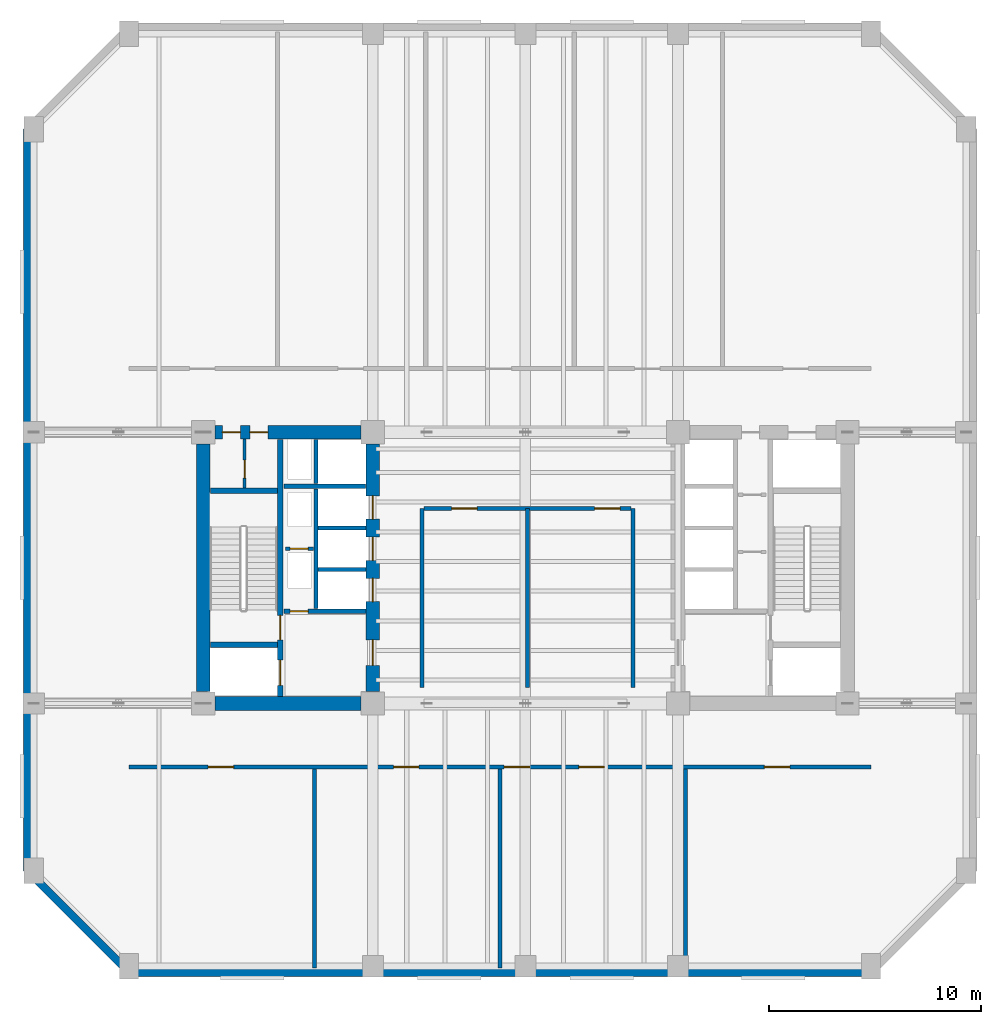
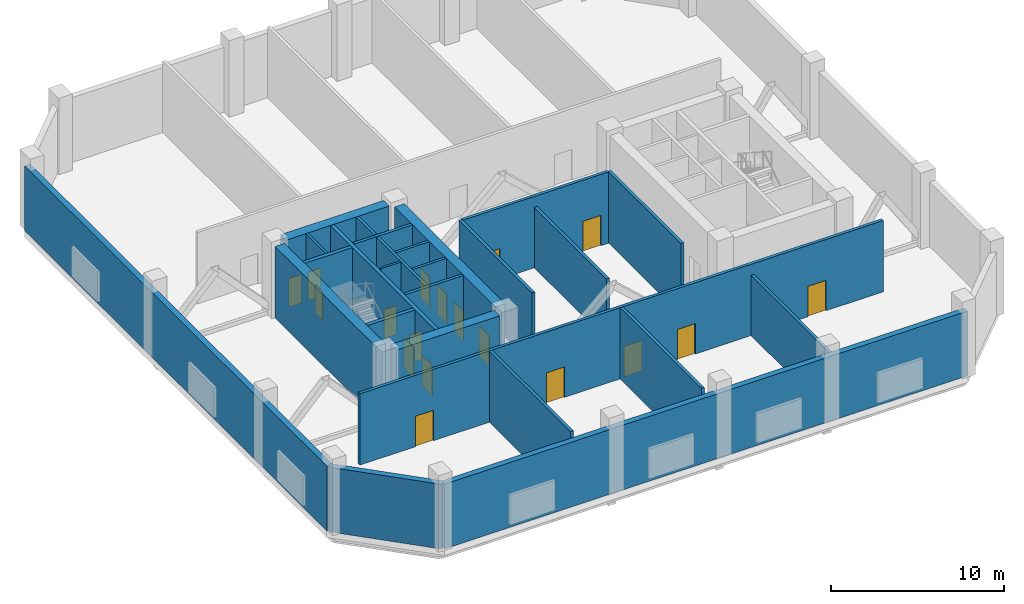
# One storey, part 5 of 9: 26 walls, 18 doors, 18 openings.
"""IFC4 building model written with IfcOpenShell, lengths in metres."""

from ifc_helpers import new_model, si_unit, direction, frame, frame_2d, origin, place, context, subcontext, project, spatial, rectangle, extrude, material, layer, layer_set, type_object, element, fill, save


model = new_model("IFC4")

# Units and contexts
model_context = context("Model", 3, precision=1e-05, world=origin(), true_north=direction((0.0, 1.0)))
body_context = subcontext(model_context, "Body", "Model", "MODEL_VIEW")
ifc_project = project(units=[si_unit("LENGTHUNIT", "METRE"), si_unit("AREAUNIT", "SQUARE_METRE"), si_unit("VOLUMEUNIT", "CUBIC_METRE"), si_unit("PLANEANGLEUNIT", "RADIAN"), si_unit("MASSUNIT", "GRAM", prefix="KILO")], contexts=[model_context])

# Site, building, storey
site_placement = place(None, origin())
site = spatial("IfcSite", under=ifc_project, at=site_placement, CompositionType="ELEMENT")
building_placement = place(site_placement, origin())
building = spatial("IfcBuilding", under=site, at=building_placement, Name="Kranthara Brick Stack", CompositionType="ELEMENT")
storey_placement = place(building_placement, frame((0.0, 0.0, 110.10009765625)))
storey = spatial("IfcBuildingStorey", under=building, at=storey_placement, Name="L27", CompositionType="ELEMENT", Elevation=110.10009765625)

# Walls
ifc_material_1 = material(Name="Kiln-fired clay brick masonry M15", Category="masonry")
ifc_layer_1 = layer(ifc_material_1, 0.3798828125)
ifc_layer_set_1 = layer_set([ifc_layer_1], Name="Kiln-fired clay brick masonry M15")
wall_type_1 = type_object("IfcWallType", Name="WL-BRK-PIER-380", PredefinedType="STANDARD", material=ifc_layer_set_1)
wall_1_placement = place(storey_placement, frame((44.300048828125, 8.110107421875, 0.0), z_axis=(0.0, 0.0, 1.0), x_axis=(-1.0, 0.0, 0.0)))
element("IfcWall", 1, at=wall_1_placement, inside=storey, type_object=wall_type_1, Name="L27 Exterior Brick Facade Wall SOUTH 1", PredefinedType="STANDARD", context=body_context, shape_type="SweptSolid", body=[
    extrude(rectangle(XDim=35.0, YDim=0.3798828125, at=frame_2d((17.5, 0.0))), origin(), (0.0, 0.0, 1.0), 4.574951171875),
])
wall_2_placement = place(storey_placement, frame((9.300048828125, 8.110107421875, 0.0), z_axis=(0.0, 0.0, 1.0), x_axis=(-0.707124801467, 0.707088760447, 0.0)))
element("IfcWall", 2, at=wall_2_placement, inside=storey, type_object=wall_type_1, Name="L27 Exterior Brick Facade Wall SW 1", PredefinedType="STANDARD", context=body_context, shape_type="SweptSolid", body=[
    extrude(rectangle(XDim=6.77392578125, YDim=0.3798828125, at=frame_2d((3.386962890625, 0.0))), origin(), (0.0, 0.0, 1.0), 4.574951171875),
])
wall_3_placement = place(storey_placement, frame((4.510009765625, 12.89990234375, 0.0), z_axis=(0.0, 0.0, 1.0), x_axis=(0.0, 1.0, 0.0)))
element("IfcWall", 3, at=wall_3_placement, inside=storey, type_object=wall_type_1, Name="L27 Exterior Brick Facade Wall WEST 1", PredefinedType="STANDARD", context=body_context, shape_type="SweptSolid", body=[
    extrude(rectangle(XDim=35.0, YDim=0.3798828125, at=frame_2d((17.5, 0.0))), origin(), (0.0, 0.0, 1.0), 4.574951171875),
])

# Wall, openings, doors
ifc_material_2 = material(Name="Concrete C50/60", Category="concrete")
ifc_layer_2 = layer(ifc_material_2, 0.25)
ifc_layer_set_2 = layer_set([ifc_layer_2], Name="Concrete C50/60")
wall_type_2 = type_object("IfcWallType", Name="WL-CORE-250", PredefinedType="SHEAR", material=ifc_layer_set_2)
wall_4_placement = place(storey_placement, frame((16.43505859375, 21.135009765625, 0.0), z_axis=(0.0, 0.0, 1.0), x_axis=(0.0, 1.0, 0.0)))
wall_4 = element("IfcWall", 4, at=wall_4_placement, inside=storey, type_object=wall_type_2, Name="L27 West Core Stair Bearing Spine Wall", PredefinedType="SHEAR", context=body_context, shape_type="SweptSolid", body=[
    extrude(rectangle(XDim=12.1298828125, YDim=0.25, at=frame_2d((6.06494140625, 0.0))), origin(), (0.0, 0.0, 1.0), 5.039794921875),
])
opening_1_placement = place(wall_4_placement, frame((0.514892578125, 0.0, 0.0)))
opening_1 = element("IfcOpeningElement", 5, at=opening_1_placement, cuts=wall_4, Name="Opening LD01", PredefinedType="OPENING", context=body_context, shape_type="SweptSolid", body=[
    extrude(rectangle(XDim=1.199951171875, YDim=2.14990234375, at=frame_2d((0.60009765625, 1.074951171875))), frame((0.0, 0.135009765625, 0.0), z_axis=(0.0, -1.0, 0.0), x_axis=(1.0, 0.0, 0.0)), (0.0, 0.0, 1.0), 0.27001953125),
])
opening_2_placement = place(wall_4_placement, frame((2.6650390625, 0.0, 0.0)))
opening_2 = element("IfcOpeningElement", 6, at=opening_2_placement, cuts=wall_4, Name="Opening D05", PredefinedType="OPENING", context=body_context, shape_type="SweptSolid", body=[
    extrude(rectangle(XDim=1.14990234375, YDim=2.14990234375, at=frame_2d((0.574951171875, 1.074951171875))), frame((0.0, 0.135009765625, 0.0), z_axis=(0.0, -1.0, 0.0), x_axis=(1.0, 0.0, 0.0)), (0.0, 0.0, 1.0), 0.27001953125),
])
ifc_material_3 = material(Name="Stainless steel sliding landing door", Category="steel")
door_type_1 = type_object("IfcDoorType", Name="DR-LD-FF1200", OperationType="DOUBLE_DOOR_SLIDING", PredefinedType="DOOR", material=ifc_material_3)
door_1_placement = place(opening_1_placement, origin())
door_1 = element("IfcDoor", 7, at=door_1_placement, inside=storey, type_object=door_type_1, Name="L27 Firefighting Lift FF-01 Landing Door", OperationType="DOUBLE_DOOR_SLIDING", OverallHeight=2.14990234375, OverallWidth=1.199951171875, PredefinedType="DOOR", context=body_context, shape_type="SweptSolid", body=[
    extrude(rectangle(XDim=1.199951171875, YDim=2.14990234375, at=frame_2d((0.60009765625, 1.074951171875))), frame((0.0, 0.02490234375, 0.0), z_axis=(0.0, -1.0, 0.0), x_axis=(1.0, 0.0, 0.0)), (0.0, 0.0, 1.0), 0.050048828125),
])
fill(opening_1, door_1)
ifc_material_4 = material(Name="Solid-core hardwood timber leaf in steel frame", Category="steel")
door_type_2 = type_object("IfcDoorType", Name="DR-ST-1150", OperationType="NOTDEFINED", PredefinedType="DOOR", material=ifc_material_4)
door_2_placement = place(opening_2_placement, origin())
door_2 = element("IfcDoor", 8, at=door_2_placement, inside=storey, type_object=door_type_2, Name="L27 Exit Stair ST01 Door", OperationType="SINGLE_SWING_RIGHT", OverallHeight=2.14990234375, OverallWidth=1.14990234375, PredefinedType="DOOR", context=body_context, shape_type="SweptSolid", body=[
    extrude(rectangle(XDim=1.14990234375, YDim=2.14990234375, at=frame_2d((0.574951171875, 1.074951171875))), frame((0.0, 0.02490234375, 0.0), z_axis=(0.0, -1.0, 0.0), x_axis=(1.0, 0.0, 0.0)), (0.0, 0.0, 1.0), 0.050048828125),
])
fill(opening_2, door_2)

# Walls
for number, where, z_axis, x_axis, name in (
    (9, (13.135009765625, 23.570068359375, 0.0), (0.0, 0.0, 1.0), (1.0, 0.0, 0.0), "L27 West Stairwell Bearing Wall WFF"),
    (10, (13.135009765625, 30.830078125, 0.0), (0.0, 0.0, 1.0), (1.0, 0.0, 0.0), "L27 West Stairwell Bearing Wall WST"),
):
    element("IfcWall", number, at=place(storey_placement, frame(where, z_axis=z_axis, x_axis=x_axis)), inside=storey, type_object=wall_type_2, Name=name, PredefinedType="SHEAR", context=body_context, shape_type="SweptSolid", body=[
        extrude(rectangle(XDim=3.175048828125, YDim=0.25, at=frame_2d((1.58740234375, 0.0))), origin(), (0.0, 0.0, 1.0), 5.039794921875),
    ])
ifc_material_5 = material(Name="Concrete C60/75", Category="concrete")
ifc_layer_3 = layer(ifc_material_5, 0.64990234375)
ifc_layer_set_3 = layer_set([ifc_layer_3], Name="Concrete C60/75")
wall_type_3 = type_object("IfcWallType", Name="WL-CORE-650", PredefinedType="SHEAR", material=ifc_layer_set_3)
wall_5_placement = place(storey_placement, frame((12.800048828125, 21.35498046875, 0.0), z_axis=(0.0, 0.0, 1.0), x_axis=(0.0, 1.0, 0.0)))
element("IfcWall", 11, at=wall_5_placement, inside=storey, type_object=wall_type_3, Name="L27 West Core Shear Wall West", PredefinedType="SHEAR", context=body_context, shape_type="SweptSolid", body=[
    extrude(rectangle(XDim=11.68994140625, YDim=0.64990234375, at=frame_2d((5.844970703125, 0.0))), origin(), (0.0, 0.0, 1.0), 5.039794921875),
])
wall_6_placement = place(storey_placement, frame((13.35498046875, 20.800048828125, 0.0), z_axis=(0.0, 0.0, 1.0), x_axis=(1.0, 0.0, 0.0)))
element("IfcWall", 12, at=wall_6_placement, inside=storey, type_object=wall_type_3, Name="L27 West Core Shear Wall South", PredefinedType="SHEAR", context=body_context, shape_type="SweptSolid", body=[
    extrude(rectangle(XDim=6.89013671875, YDim=0.64990234375, at=frame_2d((3.445068359375, 0.0))), origin(), (0.0, 0.0, 1.0), 5.039794921875),
])

# Wall, openings, doors
wall_7_placement = place(storey_placement, frame((13.35498046875, 33.60009765625, 0.0), z_axis=(0.0, 0.0, 1.0), x_axis=(1.0, 0.0, 0.0)))
wall_7 = element("IfcWall", 13, at=wall_7_placement, inside=storey, type_object=wall_type_3, Name="L27 West Core Shear Wall North", PredefinedType="SHEAR", context=body_context, shape_type="SweptSolid", body=[
    extrude(rectangle(XDim=6.89013671875, YDim=0.64990234375, at=frame_2d((3.445068359375, 0.0))), origin(), (0.0, 0.0, 1.0), 5.039794921875),
])
opening_3_placement = place(wall_7_placement, frame((0.344970703125, 0.0, 0.0)))
opening_3 = element("IfcOpeningElement", 14, at=opening_3_placement, cuts=wall_7, Name="Opening D10", PredefinedType="OPENING", context=body_context, shape_type="SweptSolid", body=[
    extrude(rectangle(XDim=0.85009765625, YDim=2.02001953125, at=frame_2d((0.425048828125, 1.010009765625))), frame((0.0, 0.3349609375, 0.0), z_axis=(0.0, -1.0, 0.0), x_axis=(1.0, 0.0, 0.0)), (0.0, 0.0, 1.0), 0.669921875),
])
opening_4_placement = place(wall_7_placement, frame((1.64501953125, 0.0, 0.0)))
opening_4 = element("IfcOpeningElement", 15, at=opening_4_placement, cuts=wall_7, Name="Opening D10", PredefinedType="OPENING", context=body_context, shape_type="SweptSolid", body=[
    extrude(rectangle(XDim=0.85009765625, YDim=2.02001953125, at=frame_2d((0.425048828125, 1.010009765625))), frame((0.0, 0.3349609375, 0.0), z_axis=(0.0, -1.0, 0.0), x_axis=(1.0, 0.0, 0.0)), (0.0, 0.0, 1.0), 0.669921875),
])
ifc_material_6 = material(Name="Solid-core hardwood timber leaf in steel frame", Category="steel")
door_type_3 = type_object("IfcDoorType", Name="DR-RSR-850", OperationType="NOTDEFINED", PredefinedType="DOOR", material=ifc_material_6)
door_3_placement = place(opening_3_placement, origin())
door_3 = element("IfcDoor", 16, at=door_3_placement, inside=storey, type_object=door_type_3, Name="L27 West Core Service Door 1", OperationType="SINGLE_SWING_LEFT", OverallHeight=2.02001953125, OverallWidth=0.85009765625, PredefinedType="DOOR", context=body_context, shape_type="SweptSolid", body=[
    extrude(rectangle(XDim=0.85009765625, YDim=2.02001953125, at=frame_2d((0.425048828125, 1.010009765625))), frame((0.0, 0.02490234375, 0.0), z_axis=(0.0, -1.0, 0.0), x_axis=(1.0, 0.0, 0.0)), (0.0, 0.0, 1.0), 0.050048828125),
])
fill(opening_3, door_3)
door_4_placement = place(opening_4_placement, origin())
door_4 = element("IfcDoor", 17, at=door_4_placement, inside=storey, type_object=door_type_3, Name="L27 West Core Service Door 2", OperationType="SINGLE_SWING_RIGHT", OverallHeight=2.02001953125, OverallWidth=0.85009765625, PredefinedType="DOOR", context=body_context, shape_type="SweptSolid", body=[
    extrude(rectangle(XDim=0.85009765625, YDim=2.02001953125, at=frame_2d((0.425048828125, 1.010009765625))), frame((0.0, 0.02490234375, 0.0), z_axis=(0.0, -1.0, 0.0), x_axis=(1.0, 0.0, 0.0)), (0.0, 0.0, 1.0), 0.050048828125),
])
fill(opening_4, door_4)

wall_8_placement = place(storey_placement, frame((20.800048828125, 21.35498046875, 0.0), z_axis=(0.0, 0.0, 1.0), x_axis=(0.0, 1.0, 0.0)))
wall_8 = element("IfcWall", 18, at=wall_8_placement, inside=storey, type_object=wall_type_3, Name="L27 West Core Shear Wall East", PredefinedType="SHEAR", context=body_context, shape_type="SweptSolid", body=[
    extrude(rectangle(XDim=11.68994140625, YDim=0.64990234375, at=frame_2d((5.844970703125, 0.0))), origin(), (0.0, 0.0, 1.0), 5.039794921875),
])
opening_5_placement = place(wall_8_placement, frame((1.2451171875, 0.0, 0.0)))
opening_5 = element("IfcOpeningElement", 19, at=opening_5_placement, cuts=wall_8, Name="Opening D06", PredefinedType="OPENING", context=body_context, shape_type="SweptSolid", body=[
    extrude(rectangle(XDim=1.199951171875, YDim=2.14990234375, at=frame_2d((0.60009765625, 1.074951171875))), frame((0.0, 0.3349609375, 0.0), z_axis=(0.0, -1.0, 0.0), x_axis=(1.0, 0.0, 0.0)), (0.0, 0.0, 1.0), 0.669921875),
])
opening_6_placement = place(wall_8_placement, frame((4.2451171875, 0.0, 0.0)))
opening_6 = element("IfcOpeningElement", 20, at=opening_6_placement, cuts=wall_8, Name="Opening LD02", PredefinedType="OPENING", context=body_context, shape_type="SweptSolid", body=[
    extrude(rectangle(XDim=1.10009765625, YDim=2.10009765625, at=frame_2d((0.550048828125, 1.050048828125))), frame((0.0, 0.3349609375, 0.0), z_axis=(0.0, -1.0, 0.0), x_axis=(1.0, 0.0, 0.0)), (0.0, 0.0, 1.0), 0.669921875),
])
opening_7_placement = place(wall_8_placement, frame((6.195068359375, 0.0, 0.0)))
opening_7 = element("IfcOpeningElement", 21, at=opening_7_placement, cuts=wall_8, Name="Opening LD02", PredefinedType="OPENING", context=body_context, shape_type="SweptSolid", body=[
    extrude(rectangle(XDim=1.10009765625, YDim=2.10009765625, at=frame_2d((0.550048828125, 1.050048828125))), frame((0.0, 0.3349609375, 0.0), z_axis=(0.0, -1.0, 0.0), x_axis=(1.0, 0.0, 0.0)), (0.0, 0.0, 1.0), 0.669921875),
])
opening_8_placement = place(wall_8_placement, frame((8.14501953125, 0.0, 0.0)))
opening_8 = element("IfcOpeningElement", 22, at=opening_8_placement, cuts=wall_8, Name="Opening LD02", PredefinedType="OPENING", context=body_context, shape_type="SweptSolid", body=[
    extrude(rectangle(XDim=1.10009765625, YDim=2.10009765625, at=frame_2d((0.550048828125, 1.050048828125))), frame((0.0, 0.3349609375, 0.0), z_axis=(0.0, -1.0, 0.0), x_axis=(1.0, 0.0, 0.0)), (0.0, 0.0, 1.0), 0.669921875),
])
ifc_material_7 = material(Name="Solid-core hardwood timber leaf in steel frame", Category="steel")
door_type_4 = type_object("IfcDoorType", Name="DR-FFL-1200", OperationType="NOTDEFINED", PredefinedType="DOOR", material=ifc_material_7)
door_5_placement = place(opening_5_placement, origin())
door_5 = element("IfcDoor", 23, at=door_5_placement, inside=storey, type_object=door_type_4, Name="L27 West Firefighting Lobby Door", OperationType="SINGLE_SWING_LEFT", OverallHeight=2.14990234375, OverallWidth=1.199951171875, PredefinedType="DOOR", context=body_context, shape_type="SweptSolid", body=[
    extrude(rectangle(XDim=1.199951171875, YDim=2.14990234375, at=frame_2d((0.60009765625, 1.074951171875))), frame((0.0, 0.02490234375, 0.0), z_axis=(0.0, -1.0, 0.0), x_axis=(1.0, 0.0, 0.0)), (0.0, 0.0, 1.0), 0.050048828125),
])
fill(opening_5, door_5)
ifc_material_8 = material(Name="Stainless steel sliding landing door", Category="steel")
door_type_5 = type_object("IfcDoorType", Name="DR-LD-PL1100", OperationType="DOUBLE_DOOR_SLIDING", PredefinedType="DOOR", material=ifc_material_8)
door_6_placement = place(opening_6_placement, origin())
door_6 = element("IfcDoor", 24, at=door_6_placement, inside=storey, type_object=door_type_5, Name="L27 PL-01 Lift Landing Door", OperationType="DOUBLE_DOOR_SLIDING", OverallHeight=2.10009765625, OverallWidth=1.10009765625, PredefinedType="DOOR", context=body_context, shape_type="SweptSolid", body=[
    extrude(rectangle(XDim=1.10009765625, YDim=2.10009765625, at=frame_2d((0.550048828125, 1.050048828125))), frame((0.0, 0.02490234375, 0.0), z_axis=(0.0, -1.0, 0.0), x_axis=(1.0, 0.0, 0.0)), (0.0, 0.0, 1.0), 0.050048828125),
])
fill(opening_6, door_6)
door_7_placement = place(opening_7_placement, origin())
door_7 = element("IfcDoor", 25, at=door_7_placement, inside=storey, type_object=door_type_5, Name="L27 PL-02 Lift Landing Door", OperationType="DOUBLE_DOOR_SLIDING", OverallHeight=2.10009765625, OverallWidth=1.10009765625, PredefinedType="DOOR", context=body_context, shape_type="SweptSolid", body=[
    extrude(rectangle(XDim=1.10009765625, YDim=2.10009765625, at=frame_2d((0.550048828125, 1.050048828125))), frame((0.0, 0.02490234375, 0.0), z_axis=(0.0, -1.0, 0.0), x_axis=(1.0, 0.0, 0.0)), (0.0, 0.0, 1.0), 0.050048828125),
])
fill(opening_7, door_7)
door_8_placement = place(opening_8_placement, origin())
door_8 = element("IfcDoor", 26, at=door_8_placement, inside=storey, type_object=door_type_5, Name="L27 PL-03 Lift Landing Door", OperationType="DOUBLE_DOOR_SLIDING", OverallHeight=2.10009765625, OverallWidth=1.10009765625, PredefinedType="DOOR", context=body_context, shape_type="SweptSolid", body=[
    extrude(rectangle(XDim=1.10009765625, YDim=2.10009765625, at=frame_2d((0.550048828125, 1.050048828125))), frame((0.0, 0.02490234375, 0.0), z_axis=(0.0, -1.0, 0.0), x_axis=(1.0, 0.0, 0.0)), (0.0, 0.0, 1.0), 0.050048828125),
])
fill(opening_8, door_8)

# Wall, opening, door
ifc_material_9 = material(Name="Fire-rated gypsum board partition", Category="other")
ifc_layer_4 = layer(ifc_material_9, 0.14990234375)
ifc_layer_set_4 = layer_set([ifc_layer_4], Name="Fire-rated gypsum board partition")
wall_type_4 = type_object("IfcWallType", Name="WL-PART-150", PredefinedType="PARTITIONING", material=ifc_layer_set_4)
wall_9_placement = place(storey_placement, frame((14.75, 30.9599609375, 0.0), z_axis=(0.0, 0.0, 1.0), x_axis=(0.0, 1.0, 0.0)))
wall_9 = element("IfcWall", 27, at=wall_9_placement, inside=storey, type_object=wall_type_4, Name="L27 Interior Partition 001", PredefinedType="PARTITIONING", context=body_context, shape_type="SweptSolid", body=[
    extrude(rectangle(XDim=2.31005859375, YDim=0.14990234375, at=frame_2d((1.155029296875, 0.0))), origin(), (0.0, 0.0, 1.0), 5.039794921875),
])
opening_9_placement = place(wall_9_placement, frame((0.469970703125, 0.0, 0.0)))
opening_9 = element("IfcOpeningElement", 28, at=opening_9_placement, cuts=wall_9, Name="Opening D10", PredefinedType="OPENING", context=body_context, shape_type="SweptSolid", body=[
    extrude(rectangle(XDim=0.85009765625, YDim=2.02001953125, at=frame_2d((0.425048828125, 1.010009765625))), frame((0.0, 0.0849609375, 0.0), z_axis=(0.0, -1.0, 0.0), x_axis=(1.0, 0.0, 0.0)), (0.0, 0.0, 1.0), 0.169921875),
])
door_9_placement = place(opening_9_placement, origin())
door_9 = element("IfcDoor", 29, at=door_9_placement, inside=storey, type_object=door_type_3, Name="L27 Service Interconnect 01", OperationType="SINGLE_SWING_LEFT", OverallHeight=2.02001953125, OverallWidth=0.85009765625, PredefinedType="DOOR", context=body_context, shape_type="SweptSolid", body=[
    extrude(rectangle(XDim=0.85009765625, YDim=2.02001953125, at=frame_2d((0.425048828125, 1.010009765625))), frame((0.0, 0.02490234375, 0.0), z_axis=(0.0, -1.0, 0.0), x_axis=(1.0, 0.0, 0.0)), (0.0, 0.0, 1.0), 0.050048828125),
])
fill(opening_9, door_9)

wall_10_placement = place(storey_placement, frame((16.679931640625, 28.10009765625, 0.0), z_axis=(0.0, 0.0, 1.0), x_axis=(1.0, 0.0, 0.0)))
wall_10 = element("IfcWall", 30, at=wall_10_placement, inside=storey, type_object=wall_type_4, Name="L27 Interior Partition 004", PredefinedType="PARTITIONING", context=body_context, shape_type="SweptSolid", body=[
    extrude(rectangle(XDim=1.320068359375, YDim=0.14990234375, at=frame_2d((0.66015625, 0.0))), origin(), (0.0, 0.0, 1.0), 5.039794921875),
])
opening_10_placement = place(wall_10_placement, frame((0.219970703125, 0.0, 0.0)))
opening_10 = element("IfcOpeningElement", 31, at=opening_10_placement, cuts=wall_10, Name="Opening D10", PredefinedType="OPENING", context=body_context, shape_type="SweptSolid", body=[
    extrude(rectangle(XDim=0.85009765625, YDim=2.02001953125, at=frame_2d((0.425048828125, 1.010009765625))), frame((0.0, 0.0849609375, 0.0), z_axis=(0.0, -1.0, 0.0), x_axis=(1.0, 0.0, 0.0)), (0.0, 0.0, 1.0), 0.169921875),
])
door_10_placement = place(opening_10_placement, origin())
door_10 = element("IfcDoor", 32, at=door_10_placement, inside=storey, type_object=door_type_3, Name="L27 Riser Split Door 04", OperationType="SINGLE_SWING_RIGHT", OverallHeight=2.02001953125, OverallWidth=0.85009765625, PredefinedType="DOOR", context=body_context, shape_type="SweptSolid", body=[
    extrude(rectangle(XDim=0.85009765625, YDim=2.02001953125, at=frame_2d((0.425048828125, 1.010009765625))), frame((0.0, 0.02490234375, 0.0), z_axis=(0.0, -1.0, 0.0), x_axis=(1.0, 0.0, 0.0)), (0.0, 0.0, 1.0), 0.050048828125),
])
fill(opening_10, door_10)

# Walls
ifc_material_10 = material(Name="Gypsum plasterboard on acoustic twin stud", Category="other")
ifc_layer_5 = layer(ifc_material_10, 0.179931640625)
ifc_layer_set_5 = layer_set([ifc_layer_5], Name="Gypsum plasterboard on acoustic twin stud")
wall_type_5 = type_object("IfcWallType", Name="WL-PART-180", PredefinedType="PARTITIONING", material=ifc_layer_set_5)
wall_11_placement = place(storey_placement, frame((18.1201171875, 25.27001953125, 0.0), z_axis=(0.0, 0.0, 1.0), x_axis=(0.0, 1.0, 0.0)))
element("IfcWall", 33, at=wall_11_placement, inside=storey, type_object=wall_type_5, Name="L27 West Hoistway Wall WBK", PredefinedType="PARTITIONING", context=body_context, shape_type="SweptSolid", body=[
    extrude(rectangle(XDim=5.659912109375, YDim=0.179931640625, at=frame_2d((2.830078125, 0.0))), origin(), (0.0, 0.0, 1.0), 5.039794921875),
])
wall_12_placement = place(storey_placement, frame((18.1201171875, 31.169921875, 0.0), z_axis=(0.0, 0.0, 1.0), x_axis=(0.0, 1.0, 0.0)))
element("IfcWall", 34, at=wall_12_placement, inside=storey, type_object=wall_type_5, Name="L27 West Hoistway Wall WBK7", PredefinedType="PARTITIONING", context=body_context, shape_type="SweptSolid", body=[
    extrude(rectangle(XDim=2.094970703125, YDim=0.179931640625, at=frame_2d((1.04736328125, 0.0))), origin(), (0.0, 0.0, 1.0), 5.039794921875),
])
for number, where, z_axis, x_axis, name in (
    (35, (18.219970703125, 27.1201171875, 0.0), (0.0, 0.0, 1.0), (1.0, 0.0, 0.0), "L27 West Hoistway Wall WH1"),
    (36, (18.219970703125, 29.080078125, 0.0), (0.0, 0.0, 1.0), (1.0, 0.0, 0.0), "L27 West Hoistway Wall WH2"),
):
    element("IfcWall", number, at=place(storey_placement, frame(where, z_axis=z_axis, x_axis=x_axis)), inside=storey, type_object=wall_type_5, Name=name, PredefinedType="PARTITIONING", context=body_context, shape_type="SweptSolid", body=[
        extrude(rectangle(XDim=2.2451171875, YDim=0.179931640625, at=frame_2d((1.12255859375, 0.0))), origin(), (0.0, 0.0, 1.0), 5.039794921875),
    ])

# Wall, opening, door
ifc_material_11 = material(Name="Concrete C40/50", Category="concrete")
ifc_layer_6 = layer(ifc_material_11, 0.199951171875)
ifc_layer_set_6 = layer_set([ifc_layer_6], Name="Concrete C40/50")
wall_type_6 = type_object("IfcWallType", Name="WL-PART-200", PredefinedType="SOLIDWALL", material=ifc_layer_set_6)
wall_13_placement = place(storey_placement, frame((16.60009765625, 25.14990234375, 0.0), z_axis=(0.0, 0.0, 1.0), x_axis=(1.0, 0.0, 0.0)))
wall_13 = element("IfcWall", 37, at=wall_13_placement, inside=storey, type_object=wall_type_6, Name="L27 West Core Cross Wall WFL", PredefinedType="SOLIDWALL", context=body_context, shape_type="SweptSolid", body=[
    extrude(rectangle(XDim=3.864990234375, YDim=0.199951171875, at=frame_2d((1.9326171875, 0.0))), origin(), (0.0, 0.0, 1.0), 5.039794921875),
])
opening_11_placement = place(wall_13_placement, frame((0.300048828125, 0.0, 0.0)))
opening_11 = element("IfcOpeningElement", 38, at=opening_11_placement, cuts=wall_13, Name="Opening D10", PredefinedType="OPENING", context=body_context, shape_type="SweptSolid", body=[
    extrude(rectangle(XDim=0.85009765625, YDim=2.02001953125, at=frame_2d((0.425048828125, 1.010009765625))), frame((0.0, 0.10986328125, 0.0), z_axis=(0.0, -1.0, 0.0), x_axis=(1.0, 0.0, 0.0)), (0.0, 0.0, 1.0), 0.219970703125),
])
door_11_placement = place(opening_11_placement, origin())
door_11 = element("IfcDoor", 39, at=door_11_placement, inside=storey, type_object=door_type_3, Name="L27 Mechanical Riser Access Door", OperationType="SINGLE_SWING_LEFT", OverallHeight=2.02001953125, OverallWidth=0.85009765625, PredefinedType="DOOR", context=body_context, shape_type="SweptSolid", body=[
    extrude(rectangle(XDim=0.85009765625, YDim=2.02001953125, at=frame_2d((0.425048828125, 1.010009765625))), frame((0.0, 0.02490234375, 0.0), z_axis=(0.0, -1.0, 0.0), x_axis=(1.0, 0.0, 0.0)), (0.0, 0.0, 1.0), 0.050048828125),
])
fill(opening_11, door_11)

# Wall
wall_14_placement = place(storey_placement, frame((16.60009765625, 31.050048828125, 0.0), z_axis=(0.0, 0.0, 1.0), x_axis=(1.0, 0.0, 0.0)))
element("IfcWall", 40, at=wall_14_placement, inside=storey, type_object=wall_type_6, Name="L27 West Core Cross Wall WH4", PredefinedType="SOLIDWALL", context=body_context, shape_type="SweptSolid", body=[
    extrude(rectangle(XDim=3.849853515625, YDim=0.199951171875, at=frame_2d((1.9248046875, 0.0))), origin(), (0.0, 0.0, 1.0), 5.039794921875),
])

# Wall, openings, doors
wall_15_placement = place(storey_placement, frame((9.300048828125, 17.800048828125, 0.0), z_axis=(0.0, 0.0, 1.0), x_axis=(1.0, 0.0, 0.0)))
wall_15 = element("IfcWall", 41, at=wall_15_placement, inside=storey, type_object=wall_type_6, Name="L27 Interior Partition 005", PredefinedType="SOLIDWALL", context=body_context, shape_type="SweptSolid", body=[
    extrude(rectangle(XDim=35.0, YDim=0.199951171875, at=frame_2d((17.5, 0.0))), origin(), (0.0, 0.0, 1.0), 5.039794921875),
])
opening_12_placement = place(wall_15_placement, frame((3.72509765625, 0.0, 0.0)))
opening_12 = element("IfcOpeningElement", 42, at=opening_12_placement, cuts=wall_15, Name="Opening D21", PredefinedType="OPENING", context=body_context, shape_type="SweptSolid", body=[
    extrude(rectangle(XDim=1.199951171875, YDim=2.14990234375, at=frame_2d((0.60009765625, 1.074951171875))), frame((0.0, 0.10986328125, 0.0), z_axis=(0.0, -1.0, 0.0), x_axis=(1.0, 0.0, 0.0)), (0.0, 0.0, 1.0), 0.219970703125),
])
opening_13_placement = place(wall_15_placement, frame((12.47509765625, 0.0, 0.0)))
opening_13 = element("IfcOpeningElement", 43, at=opening_13_placement, cuts=wall_15, Name="Opening D21", PredefinedType="OPENING", context=body_context, shape_type="SweptSolid", body=[
    extrude(rectangle(XDim=1.199951171875, YDim=2.14990234375, at=frame_2d((0.60009765625, 1.074951171875))), frame((0.0, 0.10986328125, 0.0), z_axis=(0.0, -1.0, 0.0), x_axis=(1.0, 0.0, 0.0)), (0.0, 0.0, 1.0), 0.219970703125),
])
opening_14_placement = place(wall_15_placement, frame((21.22509765625, 0.0, 0.0)))
opening_14 = element("IfcOpeningElement", 44, at=opening_14_placement, cuts=wall_15, Name="Opening D21", PredefinedType="OPENING", context=body_context, shape_type="SweptSolid", body=[
    extrude(rectangle(XDim=1.199951171875, YDim=2.14990234375, at=frame_2d((0.60009765625, 1.074951171875))), frame((0.0, 0.10986328125, 0.0), z_axis=(0.0, -1.0, 0.0), x_axis=(1.0, 0.0, 0.0)), (0.0, 0.0, 1.0), 0.219970703125),
])
opening_15_placement = place(wall_15_placement, frame((29.97509765625, 0.0, 0.0)))
opening_15 = element("IfcOpeningElement", 45, at=opening_15_placement, cuts=wall_15, Name="Opening D21", PredefinedType="OPENING", context=body_context, shape_type="SweptSolid", body=[
    extrude(rectangle(XDim=1.199951171875, YDim=2.14990234375, at=frame_2d((0.60009765625, 1.074951171875))), frame((0.0, 0.10986328125, 0.0), z_axis=(0.0, -1.0, 0.0), x_axis=(1.0, 0.0, 0.0)), (0.0, 0.0, 1.0), 0.219970703125),
])
opening_16_placement = place(wall_15_placement, frame((17.699951171875, 0.0, 0.0)))
opening_16 = element("IfcOpeningElement", 46, at=opening_16_placement, cuts=wall_15, Name="Opening VG02", PredefinedType="OPENING", context=body_context, shape_type="SweptSolid", body=[
    extrude(rectangle(XDim=1.199951171875, YDim=2.14990234375, at=frame_2d((0.60009765625, 1.074951171875))), frame((0.0, 0.10986328125, 0.0), z_axis=(0.0, -1.0, 0.0), x_axis=(1.0, 0.0, 0.0)), (0.0, 0.0, 1.0), 0.219970703125),
])
ifc_material_12 = material(Name="Solid-core hardwood timber leaf in steel frame", Category="steel")
door_type_6 = type_object("IfcDoorType", Name="DR-FD-1200", OperationType="NOTDEFINED", PredefinedType="DOOR", material=ifc_material_12)
door_12_placement = place(opening_12_placement, origin())
door_12 = element("IfcDoor", 47, at=door_12_placement, inside=storey, type_object=door_type_6, Name="L27 PLT-01 07", OperationType="SINGLE_SWING_LEFT", OverallHeight=2.14990234375, OverallWidth=1.199951171875, PredefinedType="DOOR", context=body_context, shape_type="SweptSolid", body=[
    extrude(rectangle(XDim=1.199951171875, YDim=2.14990234375, at=frame_2d((0.60009765625, 1.074951171875))), frame((0.0, 0.02490234375, 0.0), z_axis=(0.0, -1.0, 0.0), x_axis=(1.0, 0.0, 0.0)), (0.0, 0.0, 1.0), 0.050048828125),
])
fill(opening_12, door_12)
door_13_placement = place(opening_13_placement, origin())
door_13 = element("IfcDoor", 48, at=door_13_placement, inside=storey, type_object=door_type_6, Name="L27 REF-S 08", OperationType="SINGLE_SWING_RIGHT", OverallHeight=2.14990234375, OverallWidth=1.199951171875, PredefinedType="DOOR", context=body_context, shape_type="SweptSolid", body=[
    extrude(rectangle(XDim=1.199951171875, YDim=2.14990234375, at=frame_2d((0.60009765625, 1.074951171875))), frame((0.0, 0.02490234375, 0.0), z_axis=(0.0, -1.0, 0.0), x_axis=(1.0, 0.0, 0.0)), (0.0, 0.0, 1.0), 0.050048828125),
])
fill(opening_13, door_13)
door_14_placement = place(opening_14_placement, origin())
door_14 = element("IfcDoor", 49, at=door_14_placement, inside=storey, type_object=door_type_6, Name="L27 PLT-02 09", OperationType="SINGLE_SWING_LEFT", OverallHeight=2.14990234375, OverallWidth=1.199951171875, PredefinedType="DOOR", context=body_context, shape_type="SweptSolid", body=[
    extrude(rectangle(XDim=1.199951171875, YDim=2.14990234375, at=frame_2d((0.60009765625, 1.074951171875))), frame((0.0, 0.02490234375, 0.0), z_axis=(0.0, -1.0, 0.0), x_axis=(1.0, 0.0, 0.0)), (0.0, 0.0, 1.0), 0.050048828125),
])
fill(opening_14, door_14)
door_15_placement = place(opening_15_placement, origin())
door_15 = element("IfcDoor", 50, at=door_15_placement, inside=storey, type_object=door_type_6, Name="L27 PLT-03 10", OperationType="SINGLE_SWING_RIGHT", OverallHeight=2.14990234375, OverallWidth=1.199951171875, PredefinedType="DOOR", context=body_context, shape_type="SweptSolid", body=[
    extrude(rectangle(XDim=1.199951171875, YDim=2.14990234375, at=frame_2d((0.60009765625, 1.074951171875))), frame((0.0, 0.02490234375, 0.0), z_axis=(0.0, -1.0, 0.0), x_axis=(1.0, 0.0, 0.0)), (0.0, 0.0, 1.0), 0.050048828125),
])
fill(opening_15, door_15)
ifc_material_13 = material(Name="Powder-coated galvanized steel sheet", Category="steel")
door_type_7 = type_object("IfcDoorType", Name="DR-PGATE-1200", OperationType="NOTDEFINED", PredefinedType="GATE", material=ifc_material_13)
door_16_placement = place(opening_16_placement, origin())
door_16 = element("IfcDoor", 51, at=door_16_placement, inside=storey, type_object=door_type_7, Name="L27 Mechanical Plant Security Gate", OperationType="SINGLE_SWING_LEFT", OverallHeight=2.14990234375, OverallWidth=1.199951171875, PredefinedType="GATE", context=body_context, shape_type="SweptSolid", body=[
    extrude(rectangle(XDim=1.199951171875, YDim=2.14990234375, at=frame_2d((0.60009765625, 1.074951171875))), frame((0.0, 0.02490234375, 0.0), z_axis=(0.0, -1.0, 0.0), x_axis=(1.0, 0.0, 0.0)), (0.0, 0.0, 1.0), 0.050048828125),
])
fill(opening_16, door_16)

# Walls
for number, where, z_axis, x_axis, name in (
    (52, (23.1201171875, 21.550048828125, 0.0), (0.0, 0.0, 1.0), (0.0, 1.0, 0.0), "L27 Interior Partition 007"),
    (53, (33.080078125, 21.550048828125, 0.0), (0.0, 0.0, 1.0), (0.0, 1.0, 0.0), "L27 Interior Partition 008"),
):
    element("IfcWall", number, at=place(storey_placement, frame(where, z_axis=z_axis, x_axis=x_axis)), inside=storey, type_object=wall_type_6, Name=name, PredefinedType="SOLIDWALL", context=body_context, shape_type="SweptSolid", body=[
        extrude(rectangle(XDim=8.449951171875, YDim=0.199951171875, at=frame_2d((4.22509765625, 0.0))), origin(), (0.0, 0.0, 1.0), 5.039794921875),
    ])
wall_16_placement = place(storey_placement, frame((28.10009765625, 21.550048828125, 0.0), z_axis=(0.0, 0.0, 1.0), x_axis=(0.0, 1.0, 0.0)))
element("IfcWall", 54, at=wall_16_placement, inside=storey, type_object=wall_type_6, Name="L27 Interior Partition 009", PredefinedType="SOLIDWALL", context=body_context, shape_type="SweptSolid", body=[
    extrude(rectangle(XDim=8.449951171875, YDim=0.199951171875, at=frame_2d((4.22509765625, 0.0))), origin(), (0.0, 0.0, 1.0), 4.27490234375),
])

# Wall, openings, doors
wall_17_placement = place(storey_placement, frame((23.22509765625, 30.0, 0.0), z_axis=(0.0, 0.0, 1.0), x_axis=(1.0, 0.0, 0.0)))
wall_17 = element("IfcWall", 55, at=wall_17_placement, inside=storey, type_object=wall_type_6, Name="L27 Interior Partition 010", PredefinedType="SOLIDWALL", context=body_context, shape_type="SweptSolid", body=[
    extrude(rectangle(XDim=9.75, YDim=0.199951171875, at=frame_2d((4.875, 0.0))), origin(), (0.0, 0.0, 1.0), 5.039794921875),
])
opening_17_placement = place(wall_17_placement, frame((1.294921875, 0.0, 0.0)))
opening_17 = element("IfcOpeningElement", 56, at=opening_17_placement, cuts=wall_17, Name="Opening D21", PredefinedType="OPENING", context=body_context, shape_type="SweptSolid", body=[
    extrude(rectangle(XDim=1.199951171875, YDim=2.14990234375, at=frame_2d((0.60009765625, 1.074951171875))), frame((0.0, 0.10986328125, 0.0), z_axis=(0.0, -1.0, 0.0), x_axis=(1.0, 0.0, 0.0)), (0.0, 0.0, 1.0), 0.219970703125),
])
opening_18_placement = place(wall_17_placement, frame((8.044921875, 0.0, 0.0)))
opening_18 = element("IfcOpeningElement", 57, at=opening_18_placement, cuts=wall_17, Name="Opening D21", PredefinedType="OPENING", context=body_context, shape_type="SweptSolid", body=[
    extrude(rectangle(XDim=1.199951171875, YDim=2.14990234375, at=frame_2d((0.60009765625, 1.074951171875))), frame((0.0, 0.10986328125, 0.0), z_axis=(0.0, -1.0, 0.0), x_axis=(1.0, 0.0, 0.0)), (0.0, 0.0, 1.0), 0.219970703125),
])
door_17_placement = place(opening_17_placement, origin())
door_17 = element("IfcDoor", 58, at=door_17_placement, inside=storey, type_object=door_type_6, Name="L27 West Refuge Area Door 05", OperationType="SINGLE_SWING_LEFT", OverallHeight=2.14990234375, OverallWidth=1.199951171875, PredefinedType="DOOR", context=body_context, shape_type="SweptSolid", body=[
    extrude(rectangle(XDim=1.199951171875, YDim=2.14990234375, at=frame_2d((0.60009765625, 1.074951171875))), frame((0.0, 0.02490234375, 0.0), z_axis=(0.0, -1.0, 0.0), x_axis=(1.0, 0.0, 0.0)), (0.0, 0.0, 1.0), 0.050048828125),
])
fill(opening_17, door_17)
door_18_placement = place(opening_18_placement, origin())
door_18 = element("IfcDoor", 59, at=door_18_placement, inside=storey, type_object=door_type_6, Name="L27 East Refuge Area Door 06", OperationType="SINGLE_SWING_RIGHT", OverallHeight=2.14990234375, OverallWidth=1.199951171875, PredefinedType="DOOR", context=body_context, shape_type="SweptSolid", body=[
    extrude(rectangle(XDim=1.199951171875, YDim=2.14990234375, at=frame_2d((0.60009765625, 1.074951171875))), frame((0.0, 0.02490234375, 0.0), z_axis=(0.0, -1.0, 0.0), x_axis=(1.0, 0.0, 0.0)), (0.0, 0.0, 1.0), 0.050048828125),
])
fill(opening_18, door_18)

# Walls
for number, where, z_axis, x_axis, name in (
    (60, (18.050048828125, 8.304931640625, 0.0), (0.0, 0.0, 1.0), (0.0, 1.0, 0.0), "L27 Interior Partition 011"),
    (61, (26.800048828125, 8.304931640625, 0.0), (0.0, 0.0, 1.0), (0.0, 1.0, 0.0), "L27 Interior Partition 012"),
):
    element("IfcWall", number, at=place(storey_placement, frame(where, z_axis=z_axis, x_axis=x_axis)), inside=storey, type_object=wall_type_6, Name=name, PredefinedType="SOLIDWALL", context=body_context, shape_type="SweptSolid", body=[
        extrude(rectangle(XDim=9.39013671875, YDim=0.199951171875, at=frame_2d((4.695068359375, 0.0))), origin(), (0.0, 0.0, 1.0), 5.039794921875),
    ])
wall_18_placement = place(storey_placement, frame((35.550048828125, 8.304931640625, 0.0), z_axis=(0.0, 0.0, 1.0), x_axis=(0.0, 1.0, 0.0)))
element("IfcWall", 62, at=wall_18_placement, inside=storey, type_object=wall_type_6, Name="L27 Interior Partition 013", PredefinedType="SOLIDWALL", context=body_context, shape_type="SweptSolid", body=[
    extrude(rectangle(XDim=9.39013671875, YDim=0.199951171875, at=frame_2d((4.695068359375, 0.0))), origin(), (0.0, 0.0, 1.0), 4.27490234375),
])

save(model, "model.ifc")
